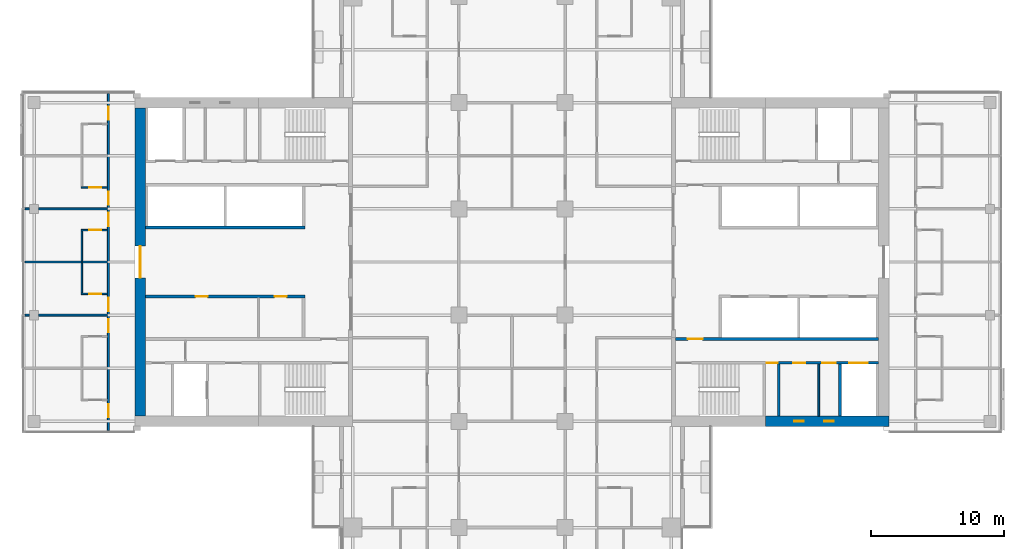
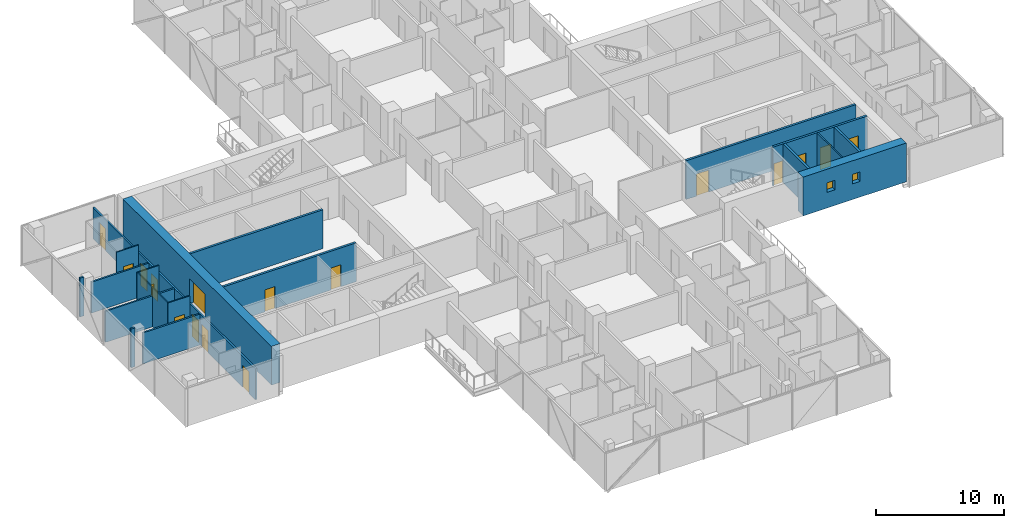
# One storey, part 18 of 29: 20 walls, 17 doors, 2 windows, 19 openings.
"""IFC4 building model written with IfcOpenShell, lengths in metres."""

from ifc_helpers import new_model, si_unit, direction, frame, frame_2d, origin, place, context, subcontext, project, spatial, rectangle, extrude, material, layer, layer_set, constituent, constituent_set, type_object, element, fill, save


model = new_model("IFC4")

# Units and contexts
model_context = context("Model", 3, precision=1e-05, world=origin(), true_north=direction((0.0, 1.0)))
body_context = subcontext(model_context, "Body", "Model", "MODEL_VIEW")
ifc_project = project(units=[si_unit("LENGTHUNIT", "METRE"), si_unit("AREAUNIT", "SQUARE_METRE"), si_unit("VOLUMEUNIT", "CUBIC_METRE"), si_unit("PLANEANGLEUNIT", "RADIAN"), si_unit("MASSUNIT", "GRAM", prefix="KILO")], contexts=[model_context])

# Site, building, storey
site_placement = place(None, origin())
site = spatial("IfcSite", under=ifc_project, at=site_placement, CompositionType="ELEMENT")
building_placement = place(site_placement, origin())
building = spatial("IfcBuilding", under=site, at=building_placement, Name="Crosswind Convention Tower", CompositionType="ELEMENT")
storey_placement = place(building_placement, frame((0.0, 0.0, 57.199951171875)))
storey = spatial("IfcBuildingStorey", under=building, at=storey_placement, Name="L08", CompositionType="ELEMENT", Elevation=57.199951171875)

# Wall
ifc_material_1 = material(Name="Concrete blockwork", Category="masonry")
ifc_layer_1 = layer(ifc_material_1, 0.199951171875)
ifc_layer_set_1 = layer_set([ifc_layer_1], Name="Blockwork partition wall 200")
wall_type_1 = type_object("IfcWallType", Name="Blockwork partition wall 200", PredefinedType="PARTITIONING", material=ifc_layer_set_1)
wall_1_placement = place(storey_placement, frame((145.10009765625, 88.39990234375, 0.0), z_axis=(0.0, 0.0, 1.0), x_axis=(0.0, 1.0, 0.0)))
element("IfcWall", 1, at=wall_1_placement, inside=storey, type_object=wall_type_1, Name="Wall MRSE E L08", PredefinedType="PARTITIONING", context=body_context, shape_type="SweptSolid", body=[
    extrude(rectangle(XDim=3.900146484375, YDim=0.199951171875, at=frame_2d((1.9501953125, 0.0))), origin(), (0.0, 0.0, 1.0), 3.699951171875),
])

# Wall, opening, door
ifc_material_2 = material(Name="Concrete C60/75", Category="concrete")
ifc_layer_2 = layer(ifc_material_2, 0.800048828125)
ifc_layer_set_2 = layer_set([ifc_layer_2], Name="Concrete C60/75")
wall_type_2 = type_object("IfcWallType", Name="Concrete core wall 800", PredefinedType="SHEAR", material=ifc_layer_set_2)
wall_2_placement = place(storey_placement, frame((97.0, 111.60009765625, 0.0), z_axis=(0.0, 0.0, 1.0), x_axis=(0.0, -1.0, 0.0)))
wall_2 = element("IfcWall", 2, at=wall_2_placement, inside=storey, type_object=wall_type_2, Name="Wall O W L08", PredefinedType="SHEAR", context=body_context, shape_type="SweptSolid", body=[
    extrude(rectangle(XDim=23.2001953125, YDim=0.800048828125, at=frame_2d((11.60009765625, 0.0))), origin(), (0.0, 0.0, 1.0), 3.699951171875),
])
opening_1_placement = place(wall_2_placement, frame((10.39990234375, 0.0, 0.0)))
opening_1 = element("IfcOpeningElement", 3, at=opening_1_placement, cuts=wall_2, Name="Opening D100", PredefinedType="OPENING", context=body_context, shape_type="SweptSolid", body=[
    extrude(rectangle(XDim=2.39990234375, YDim=2.39990234375, at=frame_2d((1.199951171875, 1.199951171875))), frame((0.0, 0.409912109375, 0.0), z_axis=(0.0, -1.0, 0.0), x_axis=(1.0, 0.0, 0.0)), (0.0, 0.0, 1.0), 0.820068359375),
])
ifc_material_3 = material(Name="Steel fire door with glazed vision panels", Category="steel")
door_type_1 = type_object("IfcDoorType", Name="Fire-rated double door 2400x2400", OperationType="DOUBLE_DOOR_SINGLE_SWING", PredefinedType="DOOR", material=ifc_material_3)
door_1_placement = place(opening_1_placement, origin())
door_1 = element("IfcDoor", 4, at=door_1_placement, inside=storey, type_object=door_type_1, Name="Lobby outer door L08", ObjectType="D100", OperationType="DOUBLE_DOOR_SINGLE_SWING", OverallHeight=2.39990234375, OverallWidth=2.39990234375, PredefinedType="DOOR", context=body_context, shape_type="SweptSolid", body=[
    extrude(rectangle(XDim=2.39990234375, YDim=2.39990234375, at=frame_2d((1.199951171875, 1.199951171875))), frame((0.0, 0.02490234375, 0.0), z_axis=(0.0, -1.0, 0.0), x_axis=(1.0, 0.0, 0.0)), (0.0, 0.0, 1.0), 0.050048828125),
])
fill(opening_1, door_1)

ifc_material_4 = material(Name="Concrete C50/60", Category="concrete")
ifc_layer_3 = layer(ifc_material_4, 0.199951171875)
ifc_layer_set_3 = layer_set([ifc_layer_3], Name="Concrete C50/60")
wall_type_3 = type_object("IfcWallType", Name="Concrete shaft and stair wall 200", PredefinedType="SHEAR", material=ifc_layer_set_3)
wall_3_placement = place(storey_placement, frame((137.300048828125, 94.199951171875, 0.0), z_axis=(0.0, 0.0, 1.0), x_axis=(1.0, 0.0, 0.0)))
wall_3 = element("IfcWall", 5, at=wall_3_placement, inside=storey, type_object=wall_type_3, Name="Wall HM E L08", PredefinedType="SHEAR", context=body_context, shape_type="SweptSolid", body=[
    extrude(rectangle(XDim=15.300048828125, YDim=0.199951171875, at=frame_2d((7.64990234375, 0.0))), origin(), (0.0, 0.0, 1.0), 3.699951171875),
])
opening_2_placement = place(wall_3_placement, frame((0.949951171875, 0.0, 0.0)))
opening_2 = element("IfcOpeningElement", 6, at=opening_2_placement, cuts=wall_3, Name="Opening D104", PredefinedType="OPENING", context=body_context, shape_type="SweptSolid", body=[
    extrude(rectangle(XDim=1.10009765625, YDim=2.10009765625, at=frame_2d((0.550048828125, 1.050048828125))), frame((0.0, 0.10986328125, 0.0), z_axis=(0.0, -1.0, 0.0), x_axis=(1.0, 0.0, 0.0)), (0.0, 0.0, 1.0), 0.219970703125),
])
ifc_material_5 = material(Name="Steel fire door", Category="steel")
door_type_2 = type_object("IfcDoorType", Name="Fire-rated single door 1100x2100", OperationType="NOTDEFINED", PredefinedType="DOOR", material=ifc_material_5)
door_2_placement = place(opening_2_placement, origin())
door_2 = element("IfcDoor", 7, at=door_2_placement, inside=storey, type_object=door_type_2, Name="Corridor door L08", ObjectType="D104", OperationType="SINGLE_SWING_LEFT", OverallHeight=2.10009765625, OverallWidth=1.10009765625, PredefinedType="DOOR", context=body_context, shape_type="SweptSolid", body=[
    extrude(rectangle(XDim=1.10009765625, YDim=2.10009765625, at=frame_2d((0.550048828125, 1.050048828125))), frame((0.0, 0.02490234375, 0.0), z_axis=(0.0, -1.0, 0.0), x_axis=(1.0, 0.0, 0.0)), (0.0, 0.0, 1.0), 0.050048828125),
])
fill(opening_2, door_2)

# Wall
wall_4_placement = place(storey_placement, frame((149.699951171875, 88.39990234375, 0.0), z_axis=(0.0, 0.0, 1.0), x_axis=(0.0, 1.0, 0.0)))
element("IfcWall", 8, at=wall_4_placement, inside=storey, type_object=wall_type_3, Name="Wall MFSW E L08", PredefinedType="SHEAR", context=body_context, shape_type="SweptSolid", body=[
    extrude(rectangle(XDim=3.900146484375, YDim=0.199951171875, at=frame_2d((1.9501953125, 0.0))), origin(), (0.0, 0.0, 1.0), 3.699951171875),
])

# Wall, openings, doors
wall_5_placement = place(storey_placement, frame((144.10009765625, 92.39990234375, 0.0), z_axis=(0.0, 0.0, 1.0), x_axis=(1.0, 0.0, 0.0)))
wall_5 = element("IfcWall", 9, at=wall_5_placement, inside=storey, type_object=wall_type_3, Name="Wall MCX E L08", PredefinedType="SHEAR", context=body_context, shape_type="SweptSolid", body=[
    extrude(rectangle(XDim=8.5, YDim=0.199951171875, at=frame_2d((4.25, 0.0))), origin(), (0.0, 0.0, 1.0), 3.699951171875),
])
opening_3_placement = place(wall_5_placement, frame((0.10009765625, 0.0, 0.0)))
opening_3 = element("IfcOpeningElement", 10, at=opening_3_placement, cuts=wall_5, Name="Opening D105", PredefinedType="OPENING", context=body_context, shape_type="SweptSolid", body=[
    extrude(rectangle(XDim=0.800048828125, YDim=2.10009765625, at=frame_2d((0.39990234375, 1.050048828125))), frame((0.0, 0.10986328125, 0.0), z_axis=(0.0, -1.0, 0.0), x_axis=(1.0, 0.0, 0.0)), (0.0, 0.0, 1.0), 0.219970703125),
])
opening_4_placement = place(wall_5_placement, frame((2.07080078125, 0.0, 0.0)))
opening_4 = element("IfcOpeningElement", 11, at=opening_4_placement, cuts=wall_5, Name="Opening D106", PredefinedType="OPENING", context=body_context, shape_type="SweptSolid", body=[
    extrude(rectangle(XDim=0.89990234375, YDim=2.10009765625, at=frame_2d((0.449951171875, 1.050048828125))), frame((0.0, 0.10986328125, 0.0), z_axis=(0.0, -1.0, 0.0), x_axis=(1.0, 0.0, 0.0)), (0.0, 0.0, 1.0), 0.219970703125),
])
opening_5_placement = place(wall_5_placement, frame((4.283203125, 0.0, 0.0)))
opening_5 = element("IfcOpeningElement", 12, at=opening_5_placement, cuts=wall_5, Name="Opening D103", PredefinedType="OPENING", context=body_context, shape_type="SweptSolid", body=[
    extrude(rectangle(XDim=1.0, YDim=2.10009765625, at=frame_2d((0.5, 1.050048828125))), frame((0.0, 0.10986328125, 0.0), z_axis=(0.0, -1.0, 0.0), x_axis=(1.0, 0.0, 0.0)), (0.0, 0.0, 1.0), 0.219970703125),
])
opening_6_placement = place(wall_5_placement, frame((6.300048828125, 0.0, 0.0)))
opening_6 = element("IfcOpeningElement", 13, at=opening_6_placement, cuts=wall_5, Name="Opening LD2", PredefinedType="OPENING", context=body_context, shape_type="SweptSolid", body=[
    extrude(rectangle(XDim=1.39990234375, YDim=2.10009765625, at=frame_2d((0.699951171875, 1.050048828125))), frame((0.0, 0.10986328125, 0.0), z_axis=(0.0, -1.0, 0.0), x_axis=(1.0, 0.0, 0.0)), (0.0, 0.0, 1.0), 0.219970703125),
])
door_type_3 = type_object("IfcDoorType", Name="Fire-rated single door 1000x2100", OperationType="NOTDEFINED", PredefinedType="DOOR", material=ifc_material_5)
door_3_placement = place(opening_5_placement, frame((1.0, 0.0, 0.0), z_axis=(0.0, 0.0, 1.0), x_axis=(-1.0, 0.0, 0.0)))
door_3 = element("IfcDoor", 14, at=door_3_placement, inside=storey, type_object=door_type_3, Name="Door to accessible wc L08", ObjectType="D103", OperationType="SINGLE_SWING_LEFT", OverallHeight=2.10009765625, OverallWidth=1.0, PredefinedType="DOOR", context=body_context, shape_type="SweptSolid", body=[
    extrude(rectangle(XDim=1.0, YDim=2.10009765625, at=frame_2d((0.5, 1.050048828125))), frame((0.0, 0.02490234375, 0.0), z_axis=(0.0, -1.0, 0.0), x_axis=(1.0, 0.0, 0.0)), (0.0, 0.0, 1.0), 0.050048828125),
])
fill(opening_5, door_3)
ifc_material_6 = material(Name="Stainless steel", Category="steel")
door_type_4 = type_object("IfcDoorType", Name="Lift landing door 1400x2100", OperationType="DOUBLE_DOOR_SLIDING", PredefinedType="DOOR", material=ifc_material_6)
door_4_placement = place(opening_6_placement, origin())
door_4 = element("IfcDoor", 15, at=door_4_placement, inside=storey, type_object=door_type_4, Name="Landing door SV1 L08", ObjectType="LD2", OperationType="DOUBLE_DOOR_SLIDING", OverallHeight=2.10009765625, OverallWidth=1.39990234375, PredefinedType="DOOR", context=body_context, shape_type="SweptSolid", body=[
    extrude(rectangle(XDim=1.39990234375, YDim=2.10009765625, at=frame_2d((0.699951171875, 1.050048828125))), frame((0.0, 0.02490234375, 0.0), z_axis=(0.0, -1.0, 0.0), x_axis=(1.0, 0.0, 0.0)), (0.0, 0.0, 1.0), 0.050048828125),
])
fill(opening_6, door_4)
door_type_5 = type_object("IfcDoorType", Name="Riser access door 800x2100", OperationType="NOTDEFINED", PredefinedType="DOOR", material=ifc_material_5)
door_5_placement = place(opening_3_placement, frame((0.800048828125, 0.0, 0.0), z_axis=(0.0, 0.0, 1.0), x_axis=(-1.0, 0.0, 0.0)))
door_5 = element("IfcDoor", 16, at=door_5_placement, inside=storey, type_object=door_type_5, Name="Riser door L08", ObjectType="D105", OperationType="SINGLE_SWING_LEFT", OverallHeight=2.10009765625, OverallWidth=0.800048828125, PredefinedType="DOOR", context=body_context, shape_type="SweptSolid", body=[
    extrude(rectangle(XDim=0.800048828125, YDim=2.10009765625, at=frame_2d((0.39990234375, 1.050048828125))), frame((0.0, 0.02490234375, 0.0), z_axis=(0.0, -1.0, 0.0), x_axis=(1.0, 0.0, 0.0)), (0.0, 0.0, 1.0), 0.050048828125),
])
fill(opening_3, door_5)
ifc_material_7 = material(Name="Timber door", Category="wood")
door_type_6 = type_object("IfcDoorType", Name="Single leaf door 900x2100", OperationType="NOTDEFINED", PredefinedType="DOOR", material=ifc_material_7)
door_6_placement = place(opening_4_placement, frame((0.89990234375, 0.0, 0.0), z_axis=(0.0, 0.0, 1.0), x_axis=(-1.0, 0.0, 0.0)))
door_6 = element("IfcDoor", 17, at=door_6_placement, inside=storey, type_object=door_type_6, Name="Door to wc L08", ObjectType="D106", OperationType="SINGLE_SWING_LEFT", OverallHeight=2.10009765625, OverallWidth=0.89990234375, PredefinedType="DOOR", context=body_context, shape_type="SweptSolid", body=[
    extrude(rectangle(XDim=0.89990234375, YDim=2.10009765625, at=frame_2d((0.449951171875, 1.050048828125))), frame((0.0, 0.02490234375, 0.0), z_axis=(0.0, -1.0, 0.0), x_axis=(1.0, 0.0, 0.0)), (0.0, 0.0, 1.0), 0.050048828125),
])
fill(opening_4, door_6)

wall_6_placement = place(storey_placement, frame((109.39990234375, 97.39990234375, 0.0), z_axis=(0.0, 0.0, 1.0), x_axis=(-1.0, 0.0, 0.0)))
wall_6 = element("IfcWall", 18, at=wall_6_placement, inside=storey, type_object=wall_type_3, Name="Wall RPFRONT W L08", PredefinedType="SHEAR", context=body_context, shape_type="SweptSolid", body=[
    extrude(rectangle(XDim=12.0, YDim=0.199951171875, at=frame_2d((6.0, 0.0))), origin(), (0.0, 0.0, 1.0), 3.699951171875),
])
opening_7_placement = place(wall_6_placement, frame((1.370849609375, 0.0, 0.0)))
opening_7 = element("IfcOpeningElement", 19, at=opening_7_placement, cuts=wall_6, Name="Opening D106", PredefinedType="OPENING", context=body_context, shape_type="SweptSolid", body=[
    extrude(rectangle(XDim=0.89990234375, YDim=2.10009765625, at=frame_2d((0.449951171875, 1.050048828125))), frame((0.0, 0.10986328125, 0.0), z_axis=(0.0, -1.0, 0.0), x_axis=(1.0, 0.0, 0.0)), (0.0, 0.0, 1.0), 0.219970703125),
])
opening_8_placement = place(wall_6_placement, frame((7.333251953125, 0.0, 0.0)))
opening_8 = element("IfcOpeningElement", 20, at=opening_8_placement, cuts=wall_6, Name="Opening D106", PredefinedType="OPENING", context=body_context, shape_type="SweptSolid", body=[
    extrude(rectangle(XDim=0.89990234375, YDim=2.10009765625, at=frame_2d((0.449951171875, 1.050048828125))), frame((0.0, 0.10986328125, 0.0), z_axis=(0.0, -1.0, 0.0), x_axis=(1.0, 0.0, 0.0)), (0.0, 0.0, 1.0), 0.219970703125),
])
door_7_placement = place(opening_7_placement, origin())
door_7 = element("IfcDoor", 21, at=door_7_placement, inside=storey, type_object=door_type_6, Name="Door to housekeeping store L08", ObjectType="D106", OperationType="SINGLE_SWING_RIGHT", OverallHeight=2.10009765625, OverallWidth=0.89990234375, PredefinedType="DOOR", context=body_context, shape_type="SweptSolid", body=[
    extrude(rectangle(XDim=0.89990234375, YDim=2.10009765625, at=frame_2d((0.449951171875, 1.050048828125))), frame((0.0, 0.02490234375, 0.0), z_axis=(0.0, -1.0, 0.0), x_axis=(1.0, 0.0, 0.0)), (0.0, 0.0, 1.0), 0.050048828125),
])
fill(opening_7, door_7)
door_8_placement = place(opening_8_placement, origin())
door_8 = element("IfcDoor", 22, at=door_8_placement, inside=storey, type_object=door_type_6, Name="Door to linen store L08", ObjectType="D106", OperationType="SINGLE_SWING_RIGHT", OverallHeight=2.10009765625, OverallWidth=0.89990234375, PredefinedType="DOOR", context=body_context, shape_type="SweptSolid", body=[
    extrude(rectangle(XDim=0.89990234375, YDim=2.10009765625, at=frame_2d((0.449951171875, 1.050048828125))), frame((0.0, 0.02490234375, 0.0), z_axis=(0.0, -1.0, 0.0), x_axis=(1.0, 0.0, 0.0)), (0.0, 0.0, 1.0), 0.050048828125),
])
fill(opening_8, door_8)

# Walls
wall_7_placement = place(storey_placement, frame((109.39990234375, 102.60009765625, 0.0), z_axis=(0.0, 0.0, 1.0), x_axis=(-1.0, 0.0, 0.0)))
element("IfcWall", 23, at=wall_7_placement, inside=storey, type_object=wall_type_3, Name="Wall RMFRONT W L08", PredefinedType="SHEAR", context=body_context, shape_type="SweptSolid", body=[
    extrude(rectangle(XDim=12.0, YDim=0.199951171875, at=frame_2d((6.0, 0.0))), origin(), (0.0, 0.0, 1.0), 3.699951171875),
])
ifc_material_8 = material(Name="Gypsum plasterboard partition", Category="gypsum")
ifc_layer_4 = layer(ifc_material_8, 0.125)
ifc_layer_set_4 = layer_set([ifc_layer_4], Name="Drywall partition wall 125")
wall_type_4 = type_object("IfcWallType", Name="Drywall partition wall 125", PredefinedType="PARTITIONING", material=ifc_layer_set_4)
wall_8_placement = place(storey_placement, frame((148.10400390625, 88.39990234375, 0.0), z_axis=(0.0, 0.0, 1.0), x_axis=(0.0, 1.0, 0.0)))
element("IfcWall", 24, at=wall_8_placement, inside=storey, type_object=wall_type_4, Name="Wall MWP1 E L08", PredefinedType="PARTITIONING", context=body_context, shape_type="SweptSolid", body=[
    extrude(rectangle(XDim=3.900146484375, YDim=0.125, at=frame_2d((1.9501953125, 0.0))), origin(), (0.0, 0.0, 1.0), 3.699951171875),
])
ifc_material_9 = material(Name="Acoustic plasterboard partition", Category="gypsum")
ifc_layer_5 = layer(ifc_material_9, 0.14990234375)
ifc_layer_set_5 = layer_set([ifc_layer_5], Name="GUEST ROOM WALL 150")
wall_type_5 = type_object("IfcWallType", Name="GUEST ROOM WALL 150", PredefinedType="PARTITIONING", material=ifc_layer_set_5)
wall_9_placement = place(storey_placement, frame((88.300048828125, 96.0, 0.0), z_axis=(0.0, 0.0, 1.0), x_axis=(1.0, 0.0, 0.0)))
element("IfcWall", 25, at=wall_9_placement, inside=storey, type_object=wall_type_5, Name="Guest Room Wall 35", PredefinedType="PARTITIONING", context=body_context, shape_type="SweptSolid", body=[
    extrude(rectangle(XDim=0.349853515625, YDim=0.14990234375, at=frame_2d((0.1748046875, 0.0))), origin(), (0.0, 0.0, 1.0), 3.699951171875),
])
wall_10_placement = place(storey_placement, frame((89.35009765625, 96.0, 0.0), z_axis=(0.0, 0.0, 1.0), x_axis=(1.0, 0.0, 0.0)))
element("IfcWall", 26, at=wall_10_placement, inside=storey, type_object=wall_type_5, Name="Guest Room Wall 36", PredefinedType="PARTITIONING", context=body_context, shape_type="SweptSolid", body=[
    extrude(rectangle(XDim=5.1748046875, YDim=0.14990234375, at=frame_2d((2.58740234375, 0.0))), origin(), (0.0, 0.0, 1.0), 2.95654296875),
])
wall_11_placement = place(storey_placement, frame((88.300048828125, 100.0, 0.0), z_axis=(0.0, 0.0, 1.0), x_axis=(1.0, 0.0, 0.0)))
element("IfcWall", 27, at=wall_11_placement, inside=storey, type_object=wall_type_5, Name="Guest Room Wall 43", PredefinedType="PARTITIONING", context=body_context, shape_type="SweptSolid", body=[
    extrude(rectangle(XDim=6.224853515625, YDim=0.14990234375, at=frame_2d((3.1123046875, 0.0))), origin(), (0.0, 0.0, 1.0), 2.962890625),
])
wall_12_placement = place(storey_placement, frame((88.300048828125, 104.0, 0.0), z_axis=(0.0, 0.0, 1.0), x_axis=(1.0, 0.0, 0.0)))
element("IfcWall", 28, at=wall_12_placement, inside=storey, type_object=wall_type_5, Name="Guest Room Wall 47", PredefinedType="PARTITIONING", context=body_context, shape_type="SweptSolid", body=[
    extrude(rectangle(XDim=0.349853515625, YDim=0.14990234375, at=frame_2d((0.1748046875, 0.0))), origin(), (0.0, 0.0, 1.0), 3.699951171875),
])
wall_13_placement = place(storey_placement, frame((89.35009765625, 104.0, 0.0), z_axis=(0.0, 0.0, 1.0), x_axis=(1.0, 0.0, 0.0)))
element("IfcWall", 29, at=wall_13_placement, inside=storey, type_object=wall_type_5, Name="Guest Room Wall 48", PredefinedType="PARTITIONING", context=body_context, shape_type="SweptSolid", body=[
    extrude(rectangle(XDim=5.1748046875, YDim=0.14990234375, at=frame_2d((2.58740234375, 0.0))), origin(), (0.0, 0.0, 1.0), 2.95654296875),
])

# Wall, openings, doors
wall_14_placement = place(storey_placement, frame((94.60009765625, 87.300048828125, 0.0), z_axis=(0.0, 0.0, 1.0), x_axis=(0.0, 1.0, 0.0)))
wall_14 = element("IfcWall", 30, at=wall_14_placement, inside=storey, type_object=wall_type_5, Name="Guest Room Wall 92", PredefinedType="PARTITIONING", context=body_context, shape_type="SweptSolid", body=[
    extrude(rectangle(XDim=25.39990234375, YDim=0.14990234375, at=frame_2d((12.699951171875, 0.0))), origin(), (0.0, 0.0, 1.0), 2.95654296875),
])
opening_9_placement = place(wall_14_placement, frame((1.0, 0.0, 0.0)))
opening_9 = element("IfcOpeningElement", 31, at=opening_9_placement, cuts=wall_14, Name="Opening 08.057", PredefinedType="OPENING", context=body_context, shape_type="SweptSolid", body=[
    extrude(rectangle(XDim=1.0, YDim=2.10009765625, at=frame_2d((0.5, 1.050048828125))), frame((0.0, 0.0849609375, 0.0), z_axis=(0.0, -1.0, 0.0), x_axis=(1.0, 0.0, 0.0)), (0.0, 0.0, 1.0), 0.169921875),
])
opening_10_placement = place(wall_14_placement, frame((7.39990234375, 0.0, 0.0)))
opening_10 = element("IfcOpeningElement", 32, at=opening_10_placement, cuts=wall_14, Name="Opening 08.059", PredefinedType="OPENING", context=body_context, shape_type="SweptSolid", body=[
    extrude(rectangle(XDim=1.0, YDim=2.10009765625, at=frame_2d((0.5, 1.050048828125))), frame((0.0, 0.0849609375, 0.0), z_axis=(0.0, -1.0, 0.0), x_axis=(1.0, 0.0, 0.0)), (0.0, 0.0, 1.0), 0.169921875),
])
opening_11_placement = place(wall_14_placement, frame((9.0, 0.0, 0.0)))
opening_11 = element("IfcOpeningElement", 33, at=opening_11_placement, cuts=wall_14, Name="Opening 08.061", PredefinedType="OPENING", context=body_context, shape_type="SweptSolid", body=[
    extrude(rectangle(XDim=1.0, YDim=2.10009765625, at=frame_2d((0.5, 1.050048828125))), frame((0.0, 0.0849609375, 0.0), z_axis=(0.0, -1.0, 0.0), x_axis=(1.0, 0.0, 0.0)), (0.0, 0.0, 1.0), 0.169921875),
])
opening_12_placement = place(wall_14_placement, frame((15.39990234375, 0.0, 0.0)))
opening_12 = element("IfcOpeningElement", 34, at=opening_12_placement, cuts=wall_14, Name="Opening 08.063", PredefinedType="OPENING", context=body_context, shape_type="SweptSolid", body=[
    extrude(rectangle(XDim=1.0, YDim=2.10009765625, at=frame_2d((0.5, 1.050048828125))), frame((0.0, 0.0849609375, 0.0), z_axis=(0.0, -1.0, 0.0), x_axis=(1.0, 0.0, 0.0)), (0.0, 0.0, 1.0), 0.169921875),
])
opening_13_placement = place(wall_14_placement, frame((17.0, 0.0, 0.0)))
opening_13 = element("IfcOpeningElement", 35, at=opening_13_placement, cuts=wall_14, Name="Opening 08.065", PredefinedType="OPENING", context=body_context, shape_type="SweptSolid", body=[
    extrude(rectangle(XDim=1.0, YDim=2.10009765625, at=frame_2d((0.5, 1.050048828125))), frame((0.0, 0.0849609375, 0.0), z_axis=(0.0, -1.0, 0.0), x_axis=(1.0, 0.0, 0.0)), (0.0, 0.0, 1.0), 0.169921875),
])
opening_14_placement = place(wall_14_placement, frame((23.39990234375, 0.0, 0.0)))
opening_14 = element("IfcOpeningElement", 36, at=opening_14_placement, cuts=wall_14, Name="Opening 08.067", PredefinedType="OPENING", context=body_context, shape_type="SweptSolid", body=[
    extrude(rectangle(XDim=1.0, YDim=2.10009765625, at=frame_2d((0.5, 1.050048828125))), frame((0.0, 0.0849609375, 0.0), z_axis=(0.0, -1.0, 0.0), x_axis=(1.0, 0.0, 0.0)), (0.0, 0.0, 1.0), 0.169921875),
])
ifc_material_10 = material(Name="Timber fire door", Category="wood")
door_type_7 = type_object("IfcDoorType", Name="GUEST ROOM DOOR 1000X2100", OperationType="NOTDEFINED", PredefinedType="DOOR", material=ifc_material_10)
door_9_placement = place(opening_9_placement, origin())
door_9 = element("IfcDoor", 37, at=door_9_placement, inside=storey, type_object=door_type_7, Name="Door 08.057", ObjectType="D1", OperationType="SINGLE_SWING_RIGHT", OverallHeight=2.10009765625, OverallWidth=1.0, PredefinedType="DOOR", context=body_context, shape_type="SweptSolid", body=[
    extrude(rectangle(XDim=1.0, YDim=2.10009765625, at=frame_2d((0.5, 1.050048828125))), frame((0.0, 0.02490234375, 0.0), z_axis=(0.0, -1.0, 0.0), x_axis=(1.0, 0.0, 0.0)), (0.0, 0.0, 1.0), 0.050048828125),
])
fill(opening_9, door_9)
door_10_placement = place(opening_10_placement, origin())
door_10 = element("IfcDoor", 38, at=door_10_placement, inside=storey, type_object=door_type_7, Name="Door 08.059", ObjectType="D1", OperationType="SINGLE_SWING_RIGHT", OverallHeight=2.10009765625, OverallWidth=1.0, PredefinedType="DOOR", context=body_context, shape_type="SweptSolid", body=[
    extrude(rectangle(XDim=1.0, YDim=2.10009765625, at=frame_2d((0.5, 1.050048828125))), frame((0.0, 0.02490234375, 0.0), z_axis=(0.0, -1.0, 0.0), x_axis=(1.0, 0.0, 0.0)), (0.0, 0.0, 1.0), 0.050048828125),
])
fill(opening_10, door_10)
door_11_placement = place(opening_11_placement, origin())
door_11 = element("IfcDoor", 39, at=door_11_placement, inside=storey, type_object=door_type_7, Name="Door 08.061", ObjectType="D1", OperationType="SINGLE_SWING_RIGHT", OverallHeight=2.10009765625, OverallWidth=1.0, PredefinedType="DOOR", context=body_context, shape_type="SweptSolid", body=[
    extrude(rectangle(XDim=1.0, YDim=2.10009765625, at=frame_2d((0.5, 1.050048828125))), frame((0.0, 0.02490234375, 0.0), z_axis=(0.0, -1.0, 0.0), x_axis=(1.0, 0.0, 0.0)), (0.0, 0.0, 1.0), 0.050048828125),
])
fill(opening_11, door_11)
door_12_placement = place(opening_12_placement, origin())
door_12 = element("IfcDoor", 40, at=door_12_placement, inside=storey, type_object=door_type_7, Name="Door 08.063", ObjectType="D1", OperationType="SINGLE_SWING_RIGHT", OverallHeight=2.10009765625, OverallWidth=1.0, PredefinedType="DOOR", context=body_context, shape_type="SweptSolid", body=[
    extrude(rectangle(XDim=1.0, YDim=2.10009765625, at=frame_2d((0.5, 1.050048828125))), frame((0.0, 0.02490234375, 0.0), z_axis=(0.0, -1.0, 0.0), x_axis=(1.0, 0.0, 0.0)), (0.0, 0.0, 1.0), 0.050048828125),
])
fill(opening_12, door_12)
door_13_placement = place(opening_13_placement, origin())
door_13 = element("IfcDoor", 41, at=door_13_placement, inside=storey, type_object=door_type_7, Name="Door 08.065", ObjectType="D1", OperationType="SINGLE_SWING_RIGHT", OverallHeight=2.10009765625, OverallWidth=1.0, PredefinedType="DOOR", context=body_context, shape_type="SweptSolid", body=[
    extrude(rectangle(XDim=1.0, YDim=2.10009765625, at=frame_2d((0.5, 1.050048828125))), frame((0.0, 0.02490234375, 0.0), z_axis=(0.0, -1.0, 0.0), x_axis=(1.0, 0.0, 0.0)), (0.0, 0.0, 1.0), 0.050048828125),
])
fill(opening_13, door_13)
door_14_placement = place(opening_14_placement, origin())
door_14 = element("IfcDoor", 42, at=door_14_placement, inside=storey, type_object=door_type_7, Name="Door 08.067", ObjectType="D1", OperationType="SINGLE_SWING_LEFT", OverallHeight=2.10009765625, OverallWidth=1.0, PredefinedType="DOOR", context=body_context, shape_type="SweptSolid", body=[
    extrude(rectangle(XDim=1.0, YDim=2.10009765625, at=frame_2d((0.5, 1.050048828125))), frame((0.0, 0.02490234375, 0.0), z_axis=(0.0, -1.0, 0.0), x_axis=(1.0, 0.0, 0.0)), (0.0, 0.0, 1.0), 0.050048828125),
])
fill(opening_14, door_14)

# Wall, openings, windows
ifc_constituent_1 = constituent(ifc_material_2, Name="Structure")
ifc_material_11 = material(Name="Terracotta rainscreen", Category="ceramic")
ifc_constituent_2 = constituent(ifc_material_11, Name="Facing")
ifc_constituent_set = constituent_set(constituents=[ifc_constituent_1, ifc_constituent_2], Name="Concrete C60/75, Terracotta rainscreen")
wall_type_6 = type_object("IfcWallType", Name="Terracotta rainscreen on concrete core wall 800", PredefinedType="SHEAR", material=ifc_constituent_set)
wall_15_placement = place(storey_placement, frame((144.10009765625, 88.0, 0.0), z_axis=(0.0, 0.0, 1.0), x_axis=(1.0, 0.0, 0.0)))
wall_15 = element("IfcWall", 43, at=wall_15_placement, inside=storey, type_object=wall_type_6, Name="Wall S2 E L08", PredefinedType="SHEAR", context=body_context, shape_type="SweptSolid", body=[
    extrude(rectangle(XDim=9.2998046875, YDim=0.800048828125, at=frame_2d((4.64990234375, 0.0))), origin(), (0.0, 0.0, 1.0), 3.699951171875),
])
opening_15_placement = place(wall_15_placement, frame((2.170654296875, 0.0, 1.5)))
opening_15 = element("IfcOpeningElement", 44, at=opening_15_placement, cuts=wall_15, Name="Opening W2", PredefinedType="OPENING", context=body_context, shape_type="SweptSolid", body=[
    extrude(rectangle(XDim=0.699951171875, YDim=0.89990234375, at=frame_2d((0.35009765625, 0.449951171875))), frame((0.0, 0.409912109375, 0.0), z_axis=(0.0, -1.0, 0.0), x_axis=(1.0, 0.0, 0.0)), (0.0, 0.0, 1.0), 0.820068359375),
])
opening_16_placement = place(wall_15_placement, frame((4.433349609375, 0.0, 1.5)))
opening_16 = element("IfcOpeningElement", 45, at=opening_16_placement, cuts=wall_15, Name="Opening W2", PredefinedType="OPENING", context=body_context, shape_type="SweptSolid", body=[
    extrude(rectangle(XDim=0.699951171875, YDim=0.89990234375, at=frame_2d((0.35009765625, 0.449951171875))), frame((0.0, 0.409912109375, 0.0), z_axis=(0.0, -1.0, 0.0), x_axis=(1.0, 0.0, 0.0)), (0.0, 0.0, 1.0), 0.820068359375),
])
ifc_material_12 = material(Name="Obscure glass in aluminium frame", Category="aluminium")
window_type = type_object("IfcWindowType", Name="WC window 700x900", PartitioningType="SINGLE_PANEL", PredefinedType="WINDOW", material=ifc_material_12)
window_1_placement = place(opening_15_placement, origin())
window_1 = element("IfcWindow", 46, at=window_1_placement, inside=storey, type_object=window_type, Name="WC window L08", ObjectType="W2", OverallHeight=0.89990234375, OverallWidth=0.699951171875, PartitioningType="SINGLE_PANEL", PredefinedType="WINDOW", context=body_context, shape_type="SweptSolid", body=[
    extrude(rectangle(XDim=0.699951171875, YDim=0.89990234375, at=frame_2d((0.35009765625, 0.449951171875))), frame((0.0, 0.030029296875, 0.0), z_axis=(0.0, -1.0, 0.0), x_axis=(1.0, 0.0, 0.0)), (0.0, 0.0, 1.0), 0.06005859375),
])
fill(opening_15, window_1)
window_2_placement = place(opening_16_placement, origin())
window_2 = element("IfcWindow", 47, at=window_2_placement, inside=storey, type_object=window_type, Name="WC window L08", ObjectType="W2", OverallHeight=0.89990234375, OverallWidth=0.699951171875, PartitioningType="SINGLE_PANEL", PredefinedType="WINDOW", context=body_context, shape_type="SweptSolid", body=[
    extrude(rectangle(XDim=0.699951171875, YDim=0.89990234375, at=frame_2d((0.35009765625, 0.449951171875))), frame((0.0, 0.030029296875, 0.0), z_axis=(0.0, -1.0, 0.0), x_axis=(1.0, 0.0, 0.0)), (0.0, 0.0, 1.0), 0.06005859375),
])
fill(opening_16, window_2)

# Wall, opening, door
ifc_material_13 = material(Name="Water-resistant plasterboard partition", Category="gypsum")
ifc_layer_6 = layer(ifc_material_13, 0.10009765625)
ifc_layer_set_6 = layer_set([ifc_layer_6], Name="WET ROOM PARTITION 100")
wall_type_7 = type_object("IfcWallType", Name="WET ROOM PARTITION 100", PredefinedType="PLUMBINGWALL", material=ifc_layer_set_6)
wall_16_placement = place(storey_placement, frame((92.550048828125, 97.60009765625, 0.0), z_axis=(0.0, 0.0, 1.0), x_axis=(1.0, 0.0, 0.0)))
wall_16 = element("IfcWall", 48, at=wall_16_placement, inside=storey, type_object=wall_type_7, Name="Wet Room Partition 41", PredefinedType="PLUMBINGWALL", context=body_context, shape_type="SweptSolid", body=[
    extrude(rectangle(XDim=1.974853515625, YDim=0.10009765625, at=frame_2d((0.9873046875, 0.0))), origin(), (0.0, 0.0, 1.0), 3.699951171875),
])
opening_17_placement = place(wall_16_placement, frame((0.60009765625, 0.0, 0.0)))
opening_17 = element("IfcOpeningElement", 49, at=opening_17_placement, cuts=wall_16, Name="Opening 08.062", PredefinedType="OPENING", context=body_context, shape_type="SweptSolid", body=[
    extrude(rectangle(XDim=0.89990234375, YDim=2.10009765625, at=frame_2d((0.449951171875, 1.050048828125))), frame((0.0, 0.06005859375, 0.0), z_axis=(0.0, -1.0, 0.0), x_axis=(1.0, 0.0, 0.0)), (0.0, 0.0, 1.0), 0.1201171875),
])
door_type_8 = type_object("IfcDoorType", Name="EN-SUITE DOOR 900X2100", OperationType="NOTDEFINED", PredefinedType="DOOR", material=ifc_material_7)
door_15_placement = place(opening_17_placement, origin())
door_15 = element("IfcDoor", 50, at=door_15_placement, inside=storey, type_object=door_type_8, Name="Door 08.062", ObjectType="D2", OperationType="SINGLE_SWING_RIGHT", OverallHeight=2.10009765625, OverallWidth=0.89990234375, PredefinedType="DOOR", context=body_context, shape_type="SweptSolid", body=[
    extrude(rectangle(XDim=0.89990234375, YDim=2.10009765625, at=frame_2d((0.449951171875, 1.050048828125))), frame((0.0, 0.02490234375, 0.0), z_axis=(0.0, -1.0, 0.0), x_axis=(1.0, 0.0, 0.0)), (0.0, 0.0, 1.0), 0.050048828125),
])
fill(opening_17, door_15)

wall_17_placement = place(storey_placement, frame((92.550048828125, 102.39990234375, 0.0), z_axis=(0.0, 0.0, 1.0), x_axis=(1.0, 0.0, 0.0)))
wall_17 = element("IfcWall", 51, at=wall_17_placement, inside=storey, type_object=wall_type_7, Name="Wet Room Partition 45", PredefinedType="PLUMBINGWALL", context=body_context, shape_type="SweptSolid", body=[
    extrude(rectangle(XDim=1.974853515625, YDim=0.10009765625, at=frame_2d((0.9873046875, 0.0))), origin(), (0.0, 0.0, 1.0), 3.699951171875),
])
opening_18_placement = place(wall_17_placement, frame((0.60009765625, 0.0, 0.0)))
opening_18 = element("IfcOpeningElement", 52, at=opening_18_placement, cuts=wall_17, Name="Opening 08.064", PredefinedType="OPENING", context=body_context, shape_type="SweptSolid", body=[
    extrude(rectangle(XDim=0.89990234375, YDim=2.10009765625, at=frame_2d((0.449951171875, 1.050048828125))), frame((0.0, 0.06005859375, 0.0), z_axis=(0.0, -1.0, 0.0), x_axis=(1.0, 0.0, 0.0)), (0.0, 0.0, 1.0), 0.1201171875),
])
door_16_placement = place(opening_18_placement, frame((0.89990234375, 0.0, 0.0), z_axis=(0.0, 0.0, 1.0), x_axis=(-1.0, 0.0, 0.0)))
door_16 = element("IfcDoor", 53, at=door_16_placement, inside=storey, type_object=door_type_8, Name="Door 08.064", ObjectType="D2", OperationType="SINGLE_SWING_LEFT", OverallHeight=2.10009765625, OverallWidth=0.89990234375, PredefinedType="DOOR", context=body_context, shape_type="SweptSolid", body=[
    extrude(rectangle(XDim=0.89990234375, YDim=2.10009765625, at=frame_2d((0.449951171875, 1.050048828125))), frame((0.0, 0.02490234375, 0.0), z_axis=(0.0, -1.0, 0.0), x_axis=(1.0, 0.0, 0.0)), (0.0, 0.0, 1.0), 0.050048828125),
])
fill(opening_18, door_16)

wall_18_placement = place(storey_placement, frame((92.550048828125, 105.60009765625, 0.0), z_axis=(0.0, 0.0, 1.0), x_axis=(1.0, 0.0, 0.0)))
wall_18 = element("IfcWall", 54, at=wall_18_placement, inside=storey, type_object=wall_type_7, Name="Wet Room Partition 52", PredefinedType="PLUMBINGWALL", context=body_context, shape_type="SweptSolid", body=[
    extrude(rectangle(XDim=1.974853515625, YDim=0.10009765625, at=frame_2d((0.9873046875, 0.0))), origin(), (0.0, 0.0, 1.0), 3.699951171875),
])
opening_19_placement = place(wall_18_placement, frame((0.60009765625, 0.0, 0.0)))
opening_19 = element("IfcOpeningElement", 55, at=opening_19_placement, cuts=wall_18, Name="Opening 08.066", PredefinedType="OPENING", context=body_context, shape_type="SweptSolid", body=[
    extrude(rectangle(XDim=0.89990234375, YDim=2.10009765625, at=frame_2d((0.449951171875, 1.050048828125))), frame((0.0, 0.06005859375, 0.0), z_axis=(0.0, -1.0, 0.0), x_axis=(1.0, 0.0, 0.0)), (0.0, 0.0, 1.0), 0.1201171875),
])
door_17_placement = place(opening_19_placement, origin())
door_17 = element("IfcDoor", 56, at=door_17_placement, inside=storey, type_object=door_type_8, Name="Door 08.066", ObjectType="D2", OperationType="SINGLE_SWING_RIGHT", OverallHeight=2.10009765625, OverallWidth=0.89990234375, PredefinedType="DOOR", context=body_context, shape_type="SweptSolid", body=[
    extrude(rectangle(XDim=0.89990234375, YDim=2.10009765625, at=frame_2d((0.449951171875, 1.050048828125))), frame((0.0, 0.02490234375, 0.0), z_axis=(0.0, -1.0, 0.0), x_axis=(1.0, 0.0, 0.0)), (0.0, 0.0, 1.0), 0.050048828125),
])
fill(opening_19, door_17)

# Walls
for number, where, z_axis, x_axis, name in (
    (57, (92.60009765625, 97.64990234375, 0.0), (0.0, 0.0, 1.0), (0.0, 1.0, 0.0), "Wet Room Partition 88"),
    (58, (92.60009765625, 100.074951171875, 0.0), (0.0, 0.0, 1.0), (0.0, 1.0, 0.0), "Wet Room Partition 89"),
):
    element("IfcWall", number, at=place(storey_placement, frame(where, z_axis=z_axis, x_axis=x_axis)), inside=storey, type_object=wall_type_7, Name=name, PredefinedType="PLUMBINGWALL", context=body_context, shape_type="SweptSolid", body=[
        extrude(rectangle(XDim=2.275146484375, YDim=0.10009765625, at=frame_2d((1.1376953125, 0.0))), origin(), (0.0, 0.0, 1.0), 3.699951171875),
    ])

save(model, "model.ifc")
